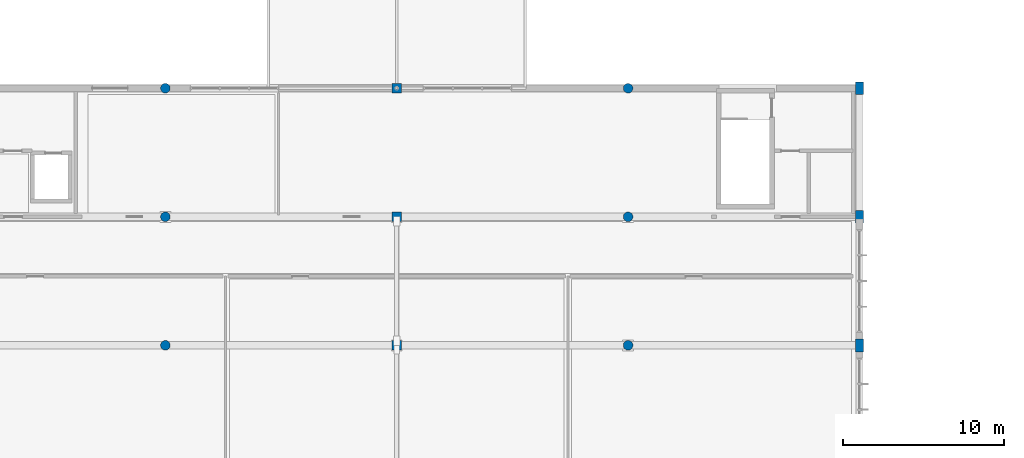
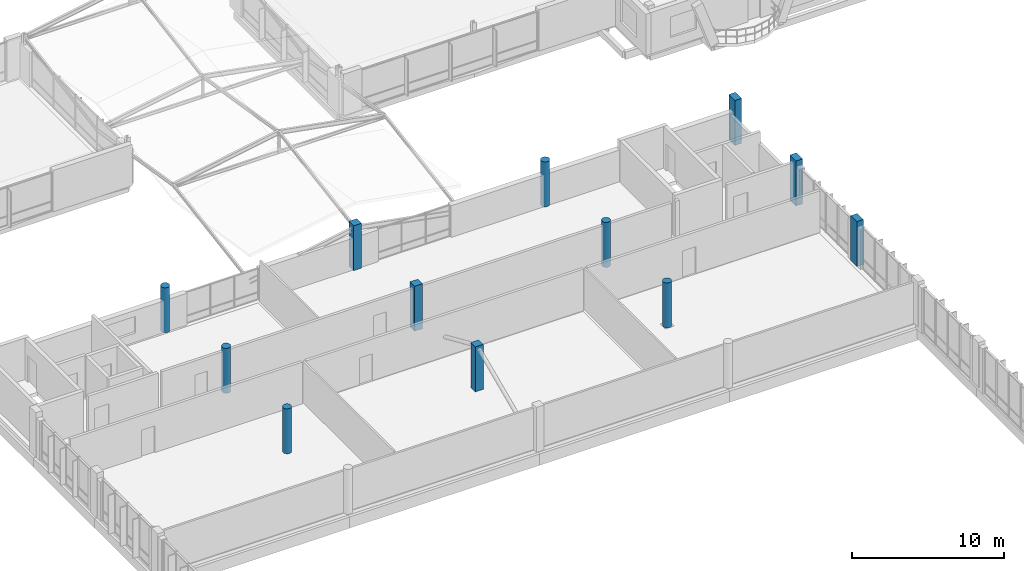
# One storey, part 8 of 189: 12 columns.
"""IFC4 building model written with IfcOpenShell, lengths in metres."""

from ifc_helpers import new_model, si_unit, direction, frame, origin, origin_2d, place, context, subcontext, project, spatial, rectangle, circle, extrude, material, material_profile, profile_set, type_object, element, save


model = new_model("IFC4")

# Units and contexts
model_context = context("Model", 3, precision=1e-05, world=origin(), true_north=direction((0.0, 1.0)))
body_context = subcontext(model_context, "Body", "Model", "MODEL_VIEW")
ifc_project = project(units=[si_unit("LENGTHUNIT", "METRE"), si_unit("AREAUNIT", "SQUARE_METRE"), si_unit("VOLUMEUNIT", "CUBIC_METRE"), si_unit("PLANEANGLEUNIT", "RADIAN"), si_unit("MASSUNIT", "GRAM", prefix="KILO")], contexts=[model_context])

# Site, building, storey
site_placement = place(None, origin())
site = spatial("IfcSite", under=ifc_project, at=site_placement, CompositionType="ELEMENT")
building_placement = place(site_placement, origin())
building = spatial("IfcBuilding", under=site, at=building_placement, Name="Zavelmont Quarter", CompositionType="ELEMENT")
storey_placement = place(building_placement, frame((0.0, 0.0, 4.39990234375)))
storey = spatial("IfcBuildingStorey", under=building, at=storey_placement, Name="L01", CompositionType="ELEMENT", Elevation=4.39990234375)

# Columns
ifc_material = material(Name="Concrete C40/50", Category="concrete")
ifc_material_profile_1 = material_profile(ifc_material, rectangle(XDim=0.60009765625, YDim=0.60009765625, at=origin_2d()), Name="RC600X600")
ifc_profile_set_1 = profile_set([ifc_material_profile_1], Name="Concrete C40/50")
column_type_1 = type_object("IfcColumnType", Name="CL01", PredefinedType="COLUMN", material=ifc_profile_set_1)
for number, where, z_axis, x_axis, name in (
    (1, (84.0, 70.0, 0.0), (0.0, 0.0, 1.0), (1.0, 0.0, 0.0), "L01 column CL01 at 13/L"),
    (2, (84.0, 78.0, 0.0), (0.0, 0.0, 1.0), (1.0, 0.0, 0.0), "L01 column CL01 at 13/M"),
    (3, (84.0, 86.0, 0.0), (0.0, 0.0, 1.0), (1.0, 0.0, 0.0), "L01 column CL01 at 13/N"),
):
    element("IfcColumn", number, at=place(storey_placement, frame(where, z_axis=z_axis, x_axis=x_axis)), inside=storey, type_object=column_type_1, Name=name, PredefinedType="COLUMN", context=body_context, shape_type="SweptSolid", body=[
        extrude(rectangle(XDim=0.60009765625, YDim=0.60009765625, at=origin_2d()), origin(), (0.0, 0.0, 1.0), 3.60009765625),
    ])
ifc_material_profile_2 = material_profile(ifc_material, rectangle(XDim=0.5, YDim=0.800048828125, at=origin_2d()), Name="RC500X800")
ifc_profile_set_2 = profile_set([ifc_material_profile_2], Name="Concrete C40/50")
column_type_2 = type_object("IfcColumnType", Name="CL07", PredefinedType="COLUMN", material=ifc_profile_set_2)
for number, where, z_axis, x_axis, name in (
    (4, (112.800048828125, 70.0, 0.0), (0.0, 0.0, 1.0), (1.0, 0.0, 0.0), "L01 column CL07 at 17/L"),
    (5, (112.800048828125, 78.0, 0.0), (0.0, 0.0, 1.0), (1.0, 0.0, 0.0), "L01 column CL07 at 17/M"),
    (6, (112.800048828125, 86.0, 0.0), (0.0, 0.0, 1.0), (1.0, 0.0, 0.0), "L01 column CL07 at 17/N"),
):
    element("IfcColumn", number, at=place(storey_placement, frame(where, z_axis=z_axis, x_axis=x_axis)), inside=storey, type_object=column_type_2, Name=name, PredefinedType="COLUMN", context=body_context, shape_type="SweptSolid", body=[
        extrude(rectangle(XDim=0.5, YDim=0.800048828125, at=origin_2d()), origin(), (0.0, 0.0, 1.0), 3.60009765625),
    ])
ifc_material_profile_3 = material_profile(ifc_material, circle(Radius=0.300048828125, at=origin_2d()), Name="CHD600")
ifc_profile_set_3 = profile_set([ifc_material_profile_3], Name="Concrete C40/50")
column_type_3 = type_object("IfcColumnType", Name="CL08", PredefinedType="COLUMN", material=ifc_profile_set_3)
for number, where, z_axis, x_axis, name in (
    (7, (69.60009765625, 70.0, 0.0), (0.0, 0.0, 1.0), (1.0, 0.0, 0.0), "L01 column CL08 at 11/L"),
    (8, (69.60009765625, 78.0, 0.0), (0.0, 0.0, 1.0), (1.0, 0.0, 0.0), "L01 column CL08 at 11/M"),
    (9, (69.60009765625, 86.0, 0.0), (0.0, 0.0, 1.0), (1.0, 0.0, 0.0), "L01 column CL08 at 11/N"),
    (10, (98.39990234375, 70.0, 0.0), (0.0, 0.0, 1.0), (1.0, 0.0, 0.0), "L01 column CL08 at 15/L"),
    (11, (98.39990234375, 78.0, 0.0), (0.0, 0.0, 1.0), (1.0, 0.0, 0.0), "L01 column CL08 at 15/M"),
    (12, (98.39990234375, 86.0, 0.0), (0.0, 0.0, 1.0), (1.0, 0.0, 0.0), "L01 column CL08 at 15/N"),
):
    element("IfcColumn", number, at=place(storey_placement, frame(where, z_axis=z_axis, x_axis=x_axis)), inside=storey, type_object=column_type_3, Name=name, PredefinedType="COLUMN", context=body_context, shape_type="SweptSolid", body=[
        extrude(circle(Radius=0.300048828125, at=origin_2d()), origin(), (0.0, 0.0, 1.0), 3.60009765625),
    ])

save(model, "model.ifc")
